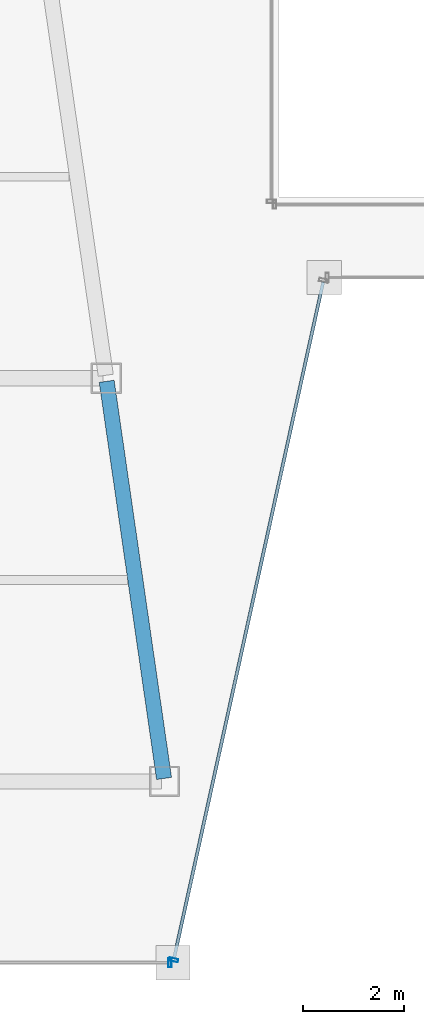
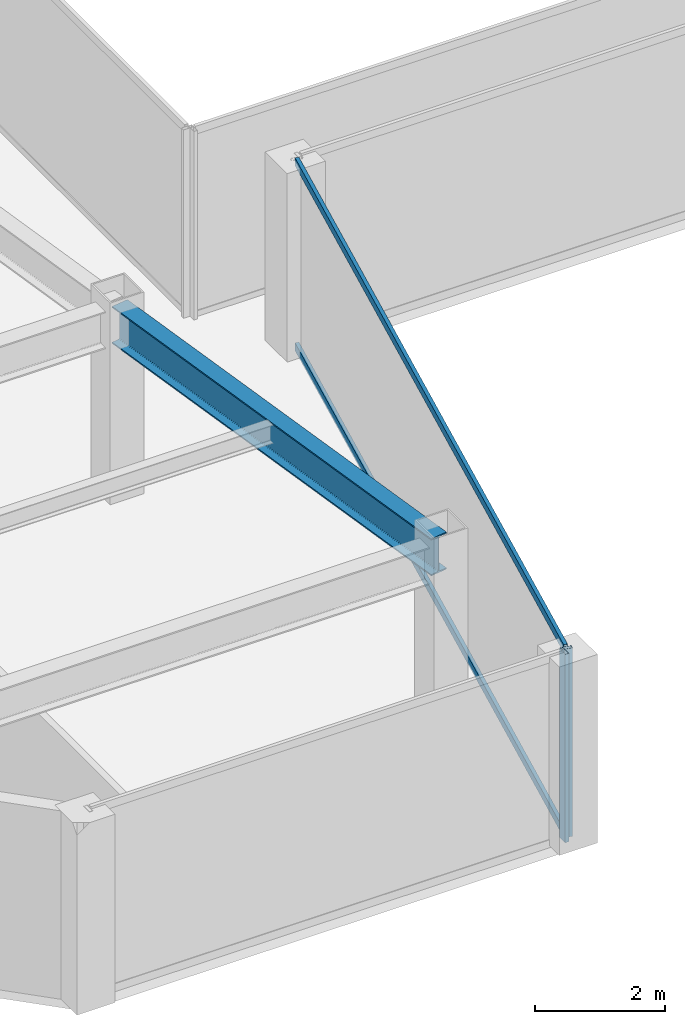
# One storey, part 5 of 36: 4 members, 1 beam, 2 elements without a shape of their own.
"""IFC4 building model written with IfcOpenShell, lengths in metres."""

from ifc_helpers import new_model, si_unit, direction, frame, origin, origin_2d, place, context, subcontext, project, spatial, hollow_rectangle, i_section, extrude, material, material_profile, profile_set, type_object, element, aggregate, save


model = new_model("IFC4")

# Units and contexts
model_context = context("Model", 3, precision=1e-05, world=origin(), true_north=direction((0.0, 1.0)))
body_context = subcontext(model_context, "Body", "Model", "MODEL_VIEW")
ifc_project = project(units=[si_unit("LENGTHUNIT", "METRE"), si_unit("AREAUNIT", "SQUARE_METRE"), si_unit("VOLUMEUNIT", "CUBIC_METRE"), si_unit("PLANEANGLEUNIT", "RADIAN"), si_unit("MASSUNIT", "GRAM", prefix="KILO")], contexts=[model_context])

# Site, building, storey
site_placement = place(None, origin())
site = spatial("IfcSite", under=ifc_project, at=site_placement, CompositionType="ELEMENT")
building_placement = place(site_placement, origin())
building = spatial("IfcBuilding", under=site, at=building_placement, Name="Saevonmaru Cultural Tower", CompositionType="ELEMENT")
storey_placement = place(building_placement, frame((0.0, 0.0, 171.39990234375)))
storey = spatial("IfcBuildingStorey", under=building, at=storey_placement, Name="L38", CompositionType="ELEMENT", Elevation=171.39990234375)

# Beam
ifc_material_1 = material(Name="Steel SM355", Category="steel")
ifc_material_profile_1 = material_profile(ifc_material_1, i_section(OverallWidth=0.300048828125, OverallDepth=0.699951171875, WebThickness=0.012939453125, FlangeThickness=0.02392578125, FilletRadius=0.02587890625, at=origin_2d()), Name="H-700x300x13x24")
ifc_profile_set_1 = profile_set([ifc_material_profile_1], Name="Steel SM355")
beam_type = type_object("IfcBeamType", Name="BM-G-H700", PredefinedType="BEAM", material=ifc_profile_set_1)
beam_placement = place(storey_placement, frame((21.91943359375, 16.059326171875, 3.2001953125), z_axis=(-0.143022161059, 0.989719486241, 0.0), x_axis=(-0.989719486241, -0.143022161059, 0.0)))
element("IfcBeam", 1, at=beam_placement, inside=storey, type_object=beam_type, Name="L38 West Atrium Girder 1", PredefinedType="BEAM", context=body_context, shape_type="SweptSolid", body=[
    extrude(i_section(OverallWidth=0.300048828125, OverallDepth=0.699951171875, WebThickness=0.012939453125, FlangeThickness=0.02392578125, FilletRadius=0.02587890625, at=origin_2d()), origin(), (0.0, 0.0, 1.0), 7.963134765625),
])

# Curtain wall, member
ifc_material_2 = material(Name="Satin Bronze Anodised Aluminium", Category="aluminium")
curtain_wall_type = type_object("IfcCurtainWallType", Name="CW-TYP-A", PredefinedType="NOTDEFINED", material=ifc_material_2)
curtain_wall_1_placement = place(storey_placement, origin())
curtain_wall_1 = element("IfcCurtainWall", 2, at=curtain_wall_1_placement, inside=storey, type_object=curtain_wall_type, Name="L38 Unitised Curtain Wall E2", PredefinedType="NOTDEFINED")
ifc_material_profile_2 = material_profile(ifc_material_2, hollow_rectangle(XDim=0.06494140625, YDim=0.179931640625, WallThickness=0.00390625, at=origin_2d()), Name="ALU-MULL-180x65x4")
ifc_profile_set_2 = profile_set([ifc_material_profile_2], Name="Satin Bronze Anodised Aluminium")
member_type_1 = type_object("IfcMemberType", Name="ML-CW-180x65", PredefinedType="MULLION", material=ifc_profile_set_2)
member_1_placement = place(storey_placement, frame((22.037841796875, 12.39990234375, 0.0), z_axis=(0.0, 0.0, 1.0), x_axis=(1.0, 0.0, 0.0)))
member_1 = element("IfcMember", 3, at=member_1_placement, type_object=member_type_1, Name="CW-TW-L38-E2 mullion 2", PredefinedType="MULLION", context=body_context, shape_type="SweptSolid", body=[
    extrude(hollow_rectangle(XDim=0.06494140625, YDim=0.179931640625, WallThickness=0.00390625, at=origin_2d()), origin(), (0.0, 0.0, 1.0), 3.550048828125),
])
aggregate(curtain_wall_1, [member_1])

# Curtain wall, members
curtain_wall_2_placement = place(storey_placement, origin())
curtain_wall_2 = element("IfcCurtainWall", 4, at=curtain_wall_2_placement, inside=storey, type_object=curtain_wall_type, Name="L38 Unitised Curtain Wall E3", PredefinedType="NOTDEFINED")
member_2_placement = place(storey_placement, frame((22.110595703125, 12.45849609375, 0.0), z_axis=(0.0, 0.0, 1.0), x_axis=(0.215413319953, 0.976522965212, 0.0)))
member_2 = element("IfcMember", 5, at=member_2_placement, type_object=member_type_1, Name="CW-TW-L38-E3 mullion 1", PredefinedType="MULLION", context=body_context, shape_type="SweptSolid", body=[
    extrude(hollow_rectangle(XDim=0.06494140625, YDim=0.179931640625, WallThickness=0.00390625, at=origin_2d()), origin(), (0.0, 0.0, 1.0), 3.550048828125),
])
ifc_material_profile_3 = material_profile(ifc_material_2, hollow_rectangle(XDim=0.06494140625, YDim=0.14990234375, WallThickness=0.00390625, at=origin_2d()), Name="ALU-TRAN-150x65x4")
ifc_profile_set_3 = profile_set([ifc_material_profile_3], Name="Satin Bronze Anodised Aluminium")
member_type_2 = type_object("IfcMemberType", Name="TR-CW-150x65", PredefinedType="USERDEFINED", material=ifc_profile_set_3)
member_3_placement = place(storey_placement, frame((22.11767578125, 12.490234375, 0.03271484375), z_axis=(0.21541214732, 0.976523223885, 0.0), x_axis=(-0.976523223885, 0.21541214732, 0.0)))
member_3 = element("IfcMember", 6, at=member_3_placement, type_object=member_type_2, Name="CW-TW-L38-E3 transom 1.1", ObjectType="TRANSOM", PredefinedType="USERDEFINED", context=body_context, shape_type="SweptSolid", body=[
    extrude(hollow_rectangle(XDim=0.06494140625, YDim=0.14990234375, WallThickness=0.00390625, at=origin_2d()), origin(), (0.0, 0.0, 1.0), 13.741943359375),
])
member_4_placement = place(storey_placement, frame((22.11767578125, 12.490234375, 3.517578125), z_axis=(0.21541214732, 0.976523223885, 0.0), x_axis=(-0.976523223885, 0.21541214732, 0.0)))
member_4 = element("IfcMember", 7, at=member_4_placement, type_object=member_type_2, Name="CW-TW-L38-E3 transom 1.2", ObjectType="TRANSOM", PredefinedType="USERDEFINED", context=body_context, shape_type="SweptSolid", body=[
    extrude(hollow_rectangle(XDim=0.06494140625, YDim=0.14990234375, WallThickness=0.00390625, at=origin_2d()), origin(), (0.0, 0.0, 1.0), 13.741943359375),
])
aggregate(curtain_wall_2, [member_2, member_3, member_4])

save(model, "model.ifc")
